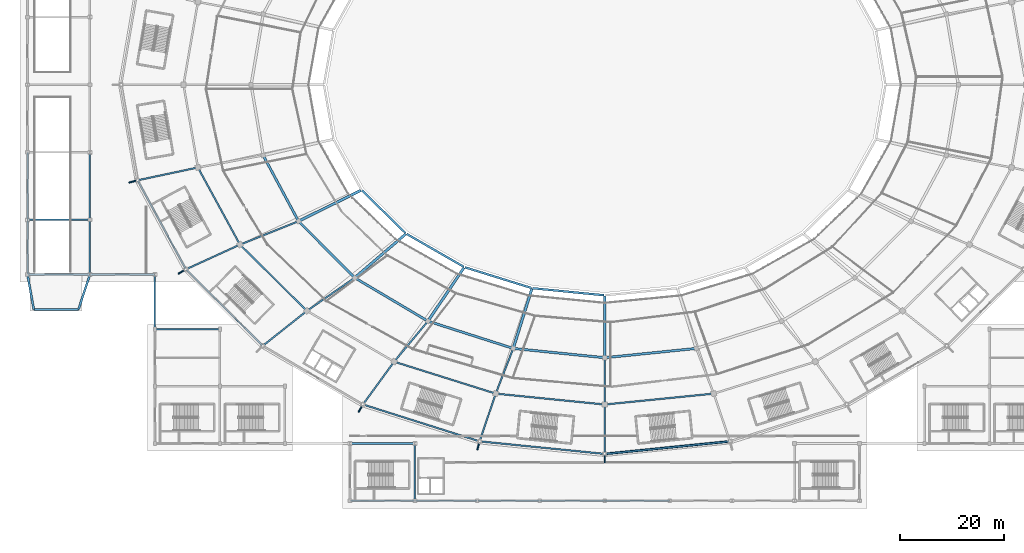
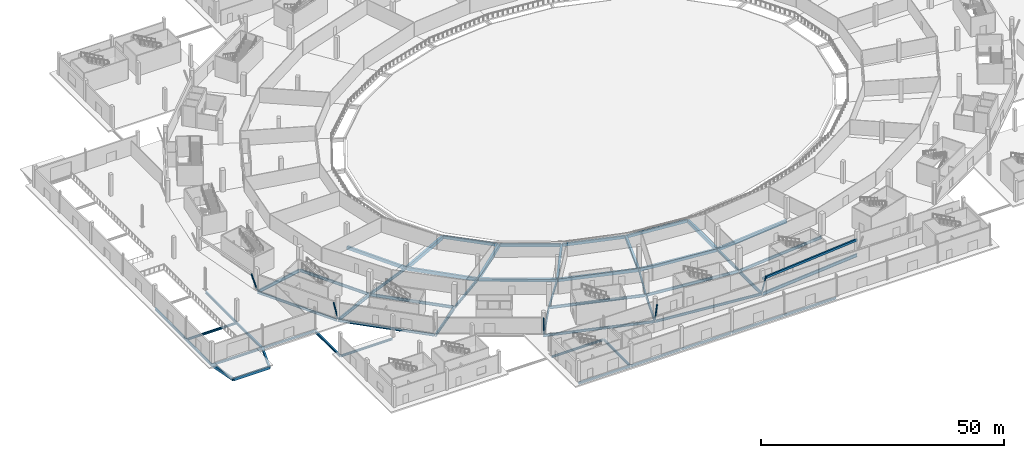
# One storey, part 23 of 82: 56 beams, 5 members.
"""IFC4 building model written with IfcOpenShell, lengths in metres."""

from ifc_helpers import new_model, si_unit, direction, frame, origin, origin_2d, place, context, subcontext, project, spatial, rectangle, hollow_circle, i_section, extrude, material, material_profile, profile_set, type_object, element, save


model = new_model("IFC4")

# Units and contexts
model_context = context("Model", 3, precision=1e-05, world=origin(), true_north=direction((0.0, 1.0)))
body_context = subcontext(model_context, "Body", "Model", "MODEL_VIEW")
ifc_project = project(units=[si_unit("LENGTHUNIT", "METRE"), si_unit("AREAUNIT", "SQUARE_METRE"), si_unit("VOLUMEUNIT", "CUBIC_METRE"), si_unit("PLANEANGLEUNIT", "RADIAN"), si_unit("MASSUNIT", "GRAM", prefix="KILO")], contexts=[model_context])

# Site, building, storey
site_placement = place(None, origin())
site = spatial("IfcSite", under=ifc_project, at=site_placement, CompositionType="ELEMENT")
building_placement = place(site_placement, origin())
building = spatial("IfcBuilding", under=site, at=building_placement, Name="Zlatoyarsky Gate Stadium", CompositionType="ELEMENT")
storey_placement = place(building_placement, origin())
storey = spatial("IfcBuildingStorey", under=building, at=storey_placement, Name="L00", CompositionType="ELEMENT", Elevation=0.0)

# Beams
ifc_material_1 = material(Name="Concrete C40/50", Category="concrete")
ifc_material_profile_1 = material_profile(ifc_material_1, rectangle(XDim=0.39990234375, YDim=0.699951171875, at=origin_2d()), Name="RC BEAM 400X700")
ifc_profile_set_1 = profile_set([ifc_material_profile_1], Name="Concrete C40/50")
beam_type_1 = type_object("IfcBeamType", Name="CONCRETE FLOOR BEAM 400X700", PredefinedType="BEAM", material=ifc_profile_set_1)
beam_1_placement = place(storey_placement, frame((1.199951171875, 36.800048828125, -0.590087890625), z_axis=(-0.176293394465, 0.984337665168, 0.0), x_axis=(-0.984337665168, -0.176293394465, 0.0)))
element("IfcBeam", 1, at=beam_1_placement, inside=storey, type_object=beam_type_1, Name="Apron support beam BM-APR-S1", PredefinedType="BEAM", context=body_context, shape_type="SweptSolid", body=[
    extrude(rectangle(XDim=0.39990234375, YDim=0.699951171875, at=origin_2d()), origin(), (0.0, 0.0, 1.0), 6.806640625),
])
beam_2_placement = place(storey_placement, frame((9.800048828125, 36.800048828125, -0.590087890625), z_axis=(0.311966246218, 0.950093185546, 0.0), x_axis=(-0.950093185546, 0.311966246218, 0.0)))
element("IfcBeam", 2, at=beam_2_placement, inside=storey, type_object=beam_type_1, Name="Apron support beam BM-APR-S2", PredefinedType="BEAM", context=body_context, shape_type="SweptSolid", body=[
    extrude(rectangle(XDim=0.39990234375, YDim=0.699951171875, at=origin_2d()), origin(), (0.0, 0.0, 1.0), 7.052001953125),
])
beam_3_placement = place(storey_placement, frame((1.199951171875, 36.800048828125, -0.590087890625), z_axis=(1.0, 0.0, 0.0), x_axis=(0.0, 1.0, 0.0)))
element("IfcBeam", 3, at=beam_3_placement, inside=storey, type_object=beam_type_1, Name="Apron support beam BM-APR-S12", PredefinedType="BEAM", context=body_context, shape_type="SweptSolid", body=[
    extrude(rectangle(XDim=0.39990234375, YDim=0.699951171875, at=origin_2d()), origin(), (0.0, 0.0, 1.0), 8.60009765625),
])
beam_4_placement = place(storey_placement, frame((64.3203125, 59.666015625, -0.699951171875), z_axis=(0.715146635204, -0.698974456011, 0.0), x_axis=(0.698974456011, 0.715146635204, 0.0)))
element("IfcBeam", 4, at=beam_4_placement, inside=storey, type_object=beam_type_1, Name="Beam B-RC70 BM-L00-CR0-14", PredefinedType="BEAM", context=body_context, shape_type="SweptSolid", body=[
    extrude(rectangle(XDim=0.39990234375, YDim=0.699951171875, at=origin_2d()), origin(), (0.0, 0.0, 1.0), 11.760009765625),
])
beam_5_placement = place(storey_placement, frame((72.920166015625, 51.30224609375, -0.699951171875), z_axis=(0.866725255288, -0.498785857704, 0.0), x_axis=(0.498785857704, 0.866725255288, 0.0)))
element("IfcBeam", 5, at=beam_5_placement, inside=storey, type_object=beam_type_1, Name="Beam B-RC70 BM-L00-CR0-15", PredefinedType="BEAM", context=body_context, shape_type="SweptSolid", body=[
    extrude(rectangle(XDim=0.39990234375, YDim=0.699951171875, at=origin_2d()), origin(), (0.0, 0.0, 1.0), 12.66357421875),
])
beam_6_placement = place(storey_placement, frame((84.114501953125, 44.890380859375, -0.699951171875), z_axis=(0.954977648824, -0.29667775489, 0.0), x_axis=(0.29667775489, 0.954977648824, 0.0)))
element("IfcBeam", 6, at=beam_6_placement, inside=storey, type_object=beam_type_1, Name="Beam B-RC70 BM-L00-CR0-16", PredefinedType="BEAM", context=body_context, shape_type="SweptSolid", body=[
    extrude(rectangle(XDim=0.39990234375, YDim=0.699951171875, at=origin_2d()), origin(), (0.0, 0.0, 1.0), 13.39794921875),
])
beam_7_placement = place(storey_placement, frame((97.143310546875, 40.8681640625, -0.699951171875), z_axis=(0.995160395529, -0.098263865031, 0.0), x_axis=(0.098263865031, 0.995160395529, 0.0)))
element("IfcBeam", 7, at=beam_7_placement, inside=storey, type_object=beam_type_1, Name="Beam B-RC70 BM-L00-CR0-17", PredefinedType="BEAM", context=body_context, shape_type="SweptSolid", body=[
    extrude(rectangle(XDim=0.39990234375, YDim=0.699951171875, at=origin_2d()), origin(), (0.0, 0.0, 1.0), 13.80419921875),
])
ifc_material_profile_2 = material_profile(ifc_material_1, rectangle(XDim=0.449951171875, YDim=0.800048828125, at=origin_2d()), Name="RC BEAM 450X800")
ifc_profile_set_2 = profile_set([ifc_material_profile_2], Name="Concrete C40/50")
beam_type_2 = type_object("IfcBeamType", Name="CONCRETE FLOOR BEAM 450X800", PredefinedType="BEAM", material=ifc_profile_set_2)
beam_8_placement = place(storey_placement, frame((45.373779296875, 66.306396484375, -0.75), z_axis=(0.472766984781, -0.881187481812, 0.0), x_axis=(0.881187481812, 0.472766984781, 0.0)))
element("IfcBeam", 8, at=beam_8_placement, inside=storey, type_object=beam_type_2, Name="Beam B-RC80 BM-L00-CRA-13", PredefinedType="BEAM", context=body_context, shape_type="SweptSolid", body=[
    extrude(rectangle(XDim=0.449951171875, YDim=0.800048828125, at=origin_2d()), origin(), (0.0, 0.0, 1.0), 14.12939453125),
])
beam_9_placement = place(storey_placement, frame((52.19482421875, 53.664794921875, -0.75), z_axis=(0.704927331607, -0.709279533861, 0.0), x_axis=(0.709279533861, 0.704927331607, 0.0)))
element("IfcBeam", 9, at=beam_9_placement, inside=storey, type_object=beam_type_2, Name="Beam B-RC80 BM-L00-CRA-14", PredefinedType="BEAM", context=body_context, shape_type="SweptSolid", body=[
    extrude(rectangle(XDim=0.449951171875, YDim=0.800048828125, at=origin_2d()), origin(), (0.0, 0.0, 1.0), 15.08984375),
])
beam_10_placement = place(storey_placement, frame((63.02001953125, 42.815673828125, -0.75), z_axis=(0.860360371321, -0.50968620882, 0.0), x_axis=(0.50968620882, 0.860360371321, 0.0)))
element("IfcBeam", 10, at=beam_10_placement, inside=storey, type_object=beam_type_2, Name="Beam B-RC80 BM-L00-CRA-15", PredefinedType="BEAM", context=body_context, shape_type="SweptSolid", body=[
    extrude(rectangle(XDim=0.449951171875, YDim=0.800048828125, at=origin_2d()), origin(), (0.0, 0.0, 1.0), 16.12890625),
])
beam_11_placement = place(storey_placement, frame((77.1142578125, 34.4970703125, -0.75), z_axis=(0.952480396568, -0.304599891914, 0.0), x_axis=(0.304599891914, 0.952480396568, 0.0)))
element("IfcBeam", 11, at=beam_11_placement, inside=storey, type_object=beam_type_2, Name="Beam B-RC80 BM-L00-CRA-16", PredefinedType="BEAM", context=body_context, shape_type="SweptSolid", body=[
    extrude(rectangle(XDim=0.449951171875, YDim=0.800048828125, at=origin_2d()), origin(), (0.0, 0.0, 1.0), 16.978515625),
])
for number, where, z_axis, x_axis, name in (
    (12, (93.519775390625, 29.27685546875, -0.75), (0.994873800639, -0.101124283941, 0.0), (0.101124283941, 0.994873800639, 0.0), "Beam B-RC80 BM-L00-CRA-17"),
    (13, (111.119384765625, 27.51220703125, -0.75), (0.994873800639, 0.101124283941, 0.0), (-0.101124283941, 0.994873800639, 0.0), "Beam B-RC80 BM-L00-CRA-18"),
):
    element("IfcBeam", number, at=place(storey_placement, frame(where, z_axis=z_axis, x_axis=x_axis)), inside=storey, type_object=beam_type_2, Name=name, PredefinedType="BEAM", context=body_context, shape_type="SweptSolid", body=[
        extrude(rectangle(XDim=0.449951171875, YDim=0.800048828125, at=origin_2d()), origin(), (0.0, 0.0, 1.0), 17.4501953125),
    ])
ifc_material_profile_3 = material_profile(ifc_material_1, rectangle(XDim=0.35009765625, YDim=0.550048828125, at=origin_2d()), Name="RC LINTEL 350X550")
ifc_profile_set_3 = profile_set([ifc_material_profile_3], Name="Concrete C40/50")
beam_type_3 = type_object("IfcBeamType", Name="CONCRETE OPENING LINTEL 350X550", PredefinedType="LINTEL", material=ifc_profile_set_3)
beam_12_placement = place(storey_placement, frame((111.119384765625, 9.011962890625, 3.125), z_axis=(0.994986905268, 0.100005291586, 0.0), x_axis=(-0.100005291586, 0.994986905268, 0.0)))
element("IfcBeam", 14, at=beam_12_placement, inside=storey, type_object=beam_type_3, Name="Beam LN-RC55 BM-L00-LNT-18", PredefinedType="LINTEL", context=body_context, shape_type="SweptSolid", body=[
    extrude(rectangle(XDim=0.35009765625, YDim=0.550048828125, at=origin_2d()), origin(), (0.0, 0.0, 1.0), 23.951416015625),
])
ifc_material_profile_4 = material_profile(ifc_material_1, rectangle(XDim=0.5, YDim=0.89990234375, at=origin_2d()), Name="RC GIRDER 500X900")
ifc_profile_set_4 = profile_set([ifc_material_profile_4], Name="Concrete C40/50")
beam_type_4 = type_object("IfcBeamType", Name="CONCRETE PRIMARY GIRDER 500X900", PredefinedType="T_BEAM", material=ifc_profile_set_4)
beam_13_placement = place(storey_placement, frame((64.126953125, 59.69677734375, -0.800048828125), z_axis=(-0.896253372987, -0.443542434734, 0.0), x_axis=(0.443542434734, -0.896253372987, 0.0)))
element("IfcBeam", 15, at=beam_13_placement, inside=storey, type_object=beam_type_4, Name="Beam G-RC90 BM-L00-R0A-14", PredefinedType="T_BEAM", context=body_context, shape_type="SweptSolid", body=[
    extrude(rectangle(XDim=0.5, YDim=0.89990234375, at=origin_2d()), origin(), (0.0, 0.0, 1.0), 13.287353515625),
])
beam_14_placement = place(storey_placement, frame((72.72509765625, 51.2841796875, -0.800048828125), z_axis=(-0.759256602365, -0.650791373456, 0.0), x_axis=(0.650791373456, -0.759256602365, 0.0)))
element("IfcBeam", 16, at=beam_14_placement, inside=storey, type_object=beam_type_4, Name="Beam G-RC90 BM-L00-R0A-15", PredefinedType="T_BEAM", context=body_context, shape_type="SweptSolid", body=[
    extrude(rectangle(XDim=0.5, YDim=0.89990234375, at=origin_2d()), origin(), (0.0, 0.0, 1.0), 12.79833984375),
])
beam_15_placement = place(storey_placement, frame((83.93310546875, 44.826416015625, -0.800048828125), z_axis=(-0.558682096313, -0.829381887468, 0.0), x_axis=(0.829381887468, -0.558682096313, 0.0)))
element("IfcBeam", 17, at=beam_15_placement, inside=storey, type_object=beam_type_4, Name="Beam G-RC90 BM-L00-R0A-16", PredefinedType="T_BEAM", context=body_context, shape_type="SweptSolid", body=[
    extrude(rectangle(XDim=0.5, YDim=0.89990234375, at=origin_2d()), origin(), (0.0, 0.0, 1.0), 12.2900390625),
])
beam_16_placement = place(storey_placement, frame((96.988037109375, 40.765380859375, -0.800048828125), z_axis=(-0.298378920826, -0.954447494421, 0.0), x_axis=(0.954447494421, -0.298378920826, 0.0)))
element("IfcBeam", 18, at=beam_16_placement, inside=storey, type_object=beam_type_4, Name="Beam G-RC90 BM-L00-R0A-17", PredefinedType="T_BEAM", context=body_context, shape_type="SweptSolid", body=[
    extrude(rectangle(XDim=0.5, YDim=0.89990234375, at=origin_2d()), origin(), (0.0, 0.0, 1.0), 11.904296875),
])
beam_17_placement = place(storey_placement, frame((111.0, 39.3798828125, -0.800048828125), z_axis=(0.0, -1.0, 0.0), x_axis=(1.0, 0.0, 0.0)))
element("IfcBeam", 19, at=beam_17_placement, inside=storey, type_object=beam_type_4, Name="Beam G-RC90 BM-L00-R0A-18", PredefinedType="T_BEAM", context=body_context, shape_type="SweptSolid", body=[
    extrude(rectangle(XDim=0.5, YDim=0.89990234375, at=origin_2d()), origin(), (0.0, 0.0, 1.0), 11.759765625),
])

# Members
ifc_material_2 = material(Name="Steel S355", Category="steel")
ifc_material_profile_5 = material_profile(ifc_material_2, hollow_circle(Radius=0.177734375, WallThickness=0.02001953125, at=origin_2d()), Name="CHS 355.6X20")
ifc_profile_set_5 = profile_set([ifc_material_profile_5], Name="Steel S355")
member_type = type_object("IfcMemberType", Name="STEEL LEANING RIB RING STRUT CHS 355.6X20", PredefinedType="STRUT", material=ifc_profile_set_5)
member_1_placement = place(storey_placement, frame((21.1689453125, 61.623779296875, 0.0), z_axis=(-0.31638694049, -0.084764257312, 0.944835607167), x_axis=(0.258786663494, -0.965934502333, 0.0)))
element("IfcMember", 20, at=member_1_placement, inside=storey, type_object=member_type, Name="Leaning ring strut 13 L00 to L01", PredefinedType="STRUT", context=body_context, shape_type="SweptSolid", body=[
    extrude(hollow_circle(Radius=0.177734375, WallThickness=0.02001953125, at=origin_2d()), origin(), (0.0, 0.0, 1.0), 4.910888671875),
])
for number, where, z_axis, x_axis, name in (
    (21, (30.459716796875, 44.5, 0.0), (-0.275179339945, -0.158857473848, 0.948177532886), (0.499958946799, -0.866049104564, 0.0), "Leaning ring strut 14 L00 to L01"),
    (22, (64.5, 18.51220703125, 0.0), (-0.158857473848, -0.275179339945, 0.948177532886), (0.866049104564, -0.499958946799, 0.0), "Leaning ring strut 16 L00 to L01"),
):
    element("IfcMember", number, at=place(storey_placement, frame(where, z_axis=z_axis, x_axis=x_axis)), inside=storey, type_object=member_type, Name=name, PredefinedType="STRUT", context=body_context, shape_type="SweptSolid", body=[
        extrude(hollow_circle(Radius=0.177734375, WallThickness=0.02001953125, at=origin_2d()), origin(), (0.0, 0.0, 1.0), 5.0625),
    ])
member_2_placement = place(storey_placement, frame((86.9296875, 11.419189453125, 0.0), z_axis=(-0.084764257312, -0.31638694049, 0.944835607167), x_axis=(0.965934502333, -0.258786663494, 0.0)))
element("IfcMember", 23, at=member_2_placement, inside=storey, type_object=member_type, Name="Leaning ring strut 17 L00 to L01", PredefinedType="STRUT", context=body_context, shape_type="SweptSolid", body=[
    extrude(hollow_circle(Radius=0.177734375, WallThickness=0.02001953125, at=origin_2d()), origin(), (0.0, 0.0, 1.0), 4.910888671875),
])
member_3_placement = place(storey_placement, frame((111.0, 9.0, 0.0), z_axis=(0.0, -0.327525462718, 0.944842352603), x_axis=(1.0, 0.0, 0.0)))
element("IfcMember", 24, at=member_3_placement, inside=storey, type_object=member_type, Name="Leaning ring strut 18 L00 to L01", PredefinedType="STRUT", context=body_context, shape_type="SweptSolid", body=[
    extrude(hollow_circle(Radius=0.177734375, WallThickness=0.02001953125, at=origin_2d()), origin(), (0.0, 0.0, 1.0), 4.91064453125),
])

# Beams
ifc_material_profile_6 = material_profile(ifc_material_2, i_section(OverallWidth=0.300048828125, OverallDepth=0.5, WebThickness=0.014404296875, FlangeThickness=0.028076171875, FilletRadius=0.027099609375, at=origin_2d()), Name="HEB 500")
ifc_profile_set_6 = profile_set([ifc_material_profile_6], Name="Steel S355")
beam_type_5 = type_object("IfcBeamType", Name="STEEL PRIMARY GIRDER HEB 500", PredefinedType="BEAM", material=ifc_profile_set_6)
for number, where, z_axis, x_axis, name in (
    (25, (0.080078125, 43.5, -0.60009765625), (1.0, 0.0, 0.0), (0.0, 1.0, 0.0), "Beam G-HEB500 BM-L00-WGX-1-E"),
    (26, (0.080078125, 54.0, -0.60009765625), (1.0, 0.0, 0.0), (0.0, 1.0, 0.0), "Beam G-HEB500 BM-L00-WGX-1-F"),
):
    element("IfcBeam", number, at=place(storey_placement, frame(where, z_axis=z_axis, x_axis=x_axis)), inside=storey, type_object=beam_type_5, Name=name, PredefinedType="BEAM", context=body_context, shape_type="SweptSolid", body=[
        extrude(i_section(OverallWidth=0.300048828125, OverallDepth=0.5, WebThickness=0.014404296875, FlangeThickness=0.028076171875, FilletRadius=0.027099609375, at=origin_2d()), origin(), (0.0, 0.0, 1.0), 11.83984375),
    ])
for number, where, z_axis, x_axis, name in (
    (27, (111.080078125, 0.0, -0.60009765625), (1.0, 0.0, 0.0), (0.0, 1.0, 0.0), "Beam G-HEB500 BM-L00-WGX-10-A"),
    (28, (12.080078125, 43.5, -0.60009765625), (1.0, 0.0, 0.0), (0.0, 1.0, 0.0), "Beam G-HEB500 BM-L00-WGX-2-E"),
    (29, (24.580078125, 33.0, -0.60009765625), (1.0, 0.0, 0.0), (0.0, 1.0, 0.0), "Beam G-HEB500 BM-L00-WGX-3-D"),
    (30, (62.080078125, 0.0, -0.60009765625), (1.0, 0.0, 0.0), (0.0, 1.0, 0.0), "Beam G-HEB500 BM-L00-WGX-6-A"),
    (31, (62.080078125, 11.0, -0.60009765625), (1.0, 0.0, 0.0), (0.0, 1.0, 0.0), "Beam G-HEB500 BM-L00-WGX-6-B"),
):
    element("IfcBeam", number, at=place(storey_placement, frame(where, z_axis=z_axis, x_axis=x_axis)), inside=storey, type_object=beam_type_5, Name=name, PredefinedType="BEAM", context=body_context, shape_type="SweptSolid", body=[
        extrude(i_section(OverallWidth=0.300048828125, OverallDepth=0.5, WebThickness=0.014404296875, FlangeThickness=0.028076171875, FilletRadius=0.027099609375, at=origin_2d()), origin(), (0.0, 0.0, 1.0), 12.33984375),
    ])
for number, where, z_axis, x_axis, name in (
    (32, (74.580078125, 0.0, -0.60009765625), (1.0, 0.0, 0.0), (0.0, 1.0, 0.0), "Beam G-HEB500 BM-L00-WGX-7-A"),
    (33, (86.580078125, 0.0, -0.60009765625), (1.0, 0.0, 0.0), (0.0, 1.0, 0.0), "Beam G-HEB500 BM-L00-WGX-8-A"),
):
    element("IfcBeam", number, at=place(storey_placement, frame(where, z_axis=z_axis, x_axis=x_axis)), inside=storey, type_object=beam_type_5, Name=name, PredefinedType="BEAM", context=body_context, shape_type="SweptSolid", body=[
        extrude(i_section(OverallWidth=0.300048828125, OverallDepth=0.5, WebThickness=0.014404296875, FlangeThickness=0.028076171875, FilletRadius=0.027099609375, at=origin_2d()), origin(), (0.0, 0.0, 1.0), 11.83984375),
    ])
beam_18_placement = place(storey_placement, frame((98.580078125, 0.0, -0.60009765625), z_axis=(1.0, 0.0, 0.0), x_axis=(0.0, 1.0, 0.0)))
element("IfcBeam", 34, at=beam_18_placement, inside=storey, type_object=beam_type_5, Name="Beam G-HEB500 BM-L00-WGX-9-A", PredefinedType="BEAM", context=body_context, shape_type="SweptSolid", body=[
    extrude(i_section(OverallWidth=0.300048828125, OverallDepth=0.5, WebThickness=0.014404296875, FlangeThickness=0.028076171875, FilletRadius=0.027099609375, at=origin_2d()), origin(), (0.0, 0.0, 1.0), 12.33984375),
])
ifc_material_profile_7 = material_profile(ifc_material_2, i_section(OverallWidth=0.300048828125, OverallDepth=0.60009765625, WebThickness=0.015380859375, FlangeThickness=0.030029296875, FilletRadius=0.027099609375, at=origin_2d()), Name="HEB 600")
ifc_profile_set_7 = profile_set([ifc_material_profile_7], Name="Steel S355")
beam_type_6 = type_object("IfcBeamType", Name="STEEL PRIMARY GIRDER HEB 600", PredefinedType="BEAM", material=ifc_profile_set_7)
beam_19_placement = place(storey_placement, frame((21.22607421875, 61.518310546875, -0.64990234375), z_axis=(0.476891650323, -0.878962088973, 0.0), x_axis=(0.878962088973, 0.476891650323, 0.0)))
element("IfcBeam", 35, at=beam_19_placement, inside=storey, type_object=beam_type_6, Name="Beam G-HEB600 BM-L00-CRC-13", PredefinedType="BEAM", context=body_context, shape_type="SweptSolid", body=[
    extrude(i_section(OverallWidth=0.300048828125, OverallDepth=0.60009765625, WebThickness=0.015380859375, FlangeThickness=0.030029296875, FilletRadius=0.027099609375, at=origin_2d()), origin(), (0.0, 0.0, 1.0), 19.241943359375),
])
beam_20_placement = place(storey_placement, frame((30.544677734375, 44.415283203125, -0.64990234375), z_axis=(0.708899260134, -0.705309746835, 0.0), x_axis=(0.705309746835, 0.708899260134, 0.0)))
element("IfcBeam", 36, at=beam_20_placement, inside=storey, type_object=beam_type_6, Name="Beam G-HEB600 BM-L00-CRC-14", PredefinedType="BEAM", context=body_context, shape_type="SweptSolid", body=[
    extrude(i_section(OverallWidth=0.300048828125, OverallDepth=0.60009765625, WebThickness=0.015380859375, FlangeThickness=0.030029296875, FilletRadius=0.027099609375, at=origin_2d()), origin(), (0.0, 0.0, 1.0), 20.608642578125),
])
beam_21_placement = place(storey_placement, frame((64.614501953125, 18.47607421875, -0.64990234375), z_axis=(0.953463107403, -0.301509706015, 0.0), x_axis=(0.301509706015, 0.953463107403, 0.0)))
element("IfcBeam", 37, at=beam_21_placement, inside=storey, type_object=beam_type_6, Name="Beam G-HEB600 BM-L00-CRC-16", PredefinedType="BEAM", context=body_context, shape_type="SweptSolid", body=[
    extrude(i_section(OverallWidth=0.300048828125, OverallDepth=0.60009765625, WebThickness=0.015380859375, FlangeThickness=0.030029296875, FilletRadius=0.027099609375, at=origin_2d()), origin(), (0.0, 0.0, 1.0), 23.284423828125),
])
beam_22_placement = place(storey_placement, frame((87.04931640625, 11.4072265625, -0.64990234375), z_axis=(0.994986905268, -0.100005291586, 0.0), x_axis=(0.100005291586, 0.994986905268, 0.0)))
element("IfcBeam", 38, at=beam_22_placement, inside=storey, type_object=beam_type_6, Name="Beam G-HEB600 BM-L00-CRC-17", PredefinedType="BEAM", context=body_context, shape_type="SweptSolid", body=[
    extrude(i_section(OverallWidth=0.300048828125, OverallDepth=0.60009765625, WebThickness=0.015380859375, FlangeThickness=0.030029296875, FilletRadius=0.027099609375, at=origin_2d()), origin(), (0.0, 0.0, 1.0), 23.951416015625),
])
beam_23_placement = place(storey_placement, frame((0.0, 43.580078125, -0.64990234375), z_axis=(0.0, 1.0, 0.0), x_axis=(-1.0, 0.0, 0.0)))
element("IfcBeam", 39, at=beam_23_placement, inside=storey, type_object=beam_type_6, Name="Beam G-HEB600 BM-L00-WGY-1-E", PredefinedType="BEAM", context=body_context, shape_type="SweptSolid", body=[
    extrude(i_section(OverallWidth=0.300048828125, OverallDepth=0.60009765625, WebThickness=0.015380859375, FlangeThickness=0.030029296875, FilletRadius=0.027099609375, at=origin_2d()), origin(), (0.0, 0.0, 1.0), 10.33984375),
])
beam_24_placement = place(storey_placement, frame((0.0, 54.080078125, -0.64990234375), z_axis=(0.0, 1.0, 0.0), x_axis=(-1.0, 0.0, 0.0)))
element("IfcBeam", 40, at=beam_24_placement, inside=storey, type_object=beam_type_6, Name="Beam G-HEB600 BM-L00-WGY-1-F", PredefinedType="BEAM", context=body_context, shape_type="SweptSolid", body=[
    extrude(i_section(OverallWidth=0.300048828125, OverallDepth=0.60009765625, WebThickness=0.015380859375, FlangeThickness=0.030029296875, FilletRadius=0.027099609375, at=origin_2d()), origin(), (0.0, 0.0, 1.0), 12.83984375),
])
beam_25_placement = place(storey_placement, frame((12.0, 43.580078125, -0.64990234375), z_axis=(0.0, 1.0, 0.0), x_axis=(-1.0, 0.0, 0.0)))
element("IfcBeam", 41, at=beam_25_placement, inside=storey, type_object=beam_type_6, Name="Beam G-HEB600 BM-L00-WGY-2-E", PredefinedType="BEAM", context=body_context, shape_type="SweptSolid", body=[
    extrude(i_section(OverallWidth=0.300048828125, OverallDepth=0.60009765625, WebThickness=0.015380859375, FlangeThickness=0.030029296875, FilletRadius=0.027099609375, at=origin_2d()), origin(), (0.0, 0.0, 1.0), 10.33984375),
])
beam_26_placement = place(storey_placement, frame((12.0, 54.080078125, -0.64990234375), z_axis=(0.0, 1.0, 0.0), x_axis=(-1.0, 0.0, 0.0)))
element("IfcBeam", 42, at=beam_26_placement, inside=storey, type_object=beam_type_6, Name="Beam G-HEB600 BM-L00-WGY-2-F", PredefinedType="BEAM", context=body_context, shape_type="SweptSolid", body=[
    extrude(i_section(OverallWidth=0.300048828125, OverallDepth=0.60009765625, WebThickness=0.015380859375, FlangeThickness=0.030029296875, FilletRadius=0.027099609375, at=origin_2d()), origin(), (0.0, 0.0, 1.0), 12.83984375),
])
beam_27_placement = place(storey_placement, frame((24.5, 33.080078125, -0.64990234375), z_axis=(0.0, 1.0, 0.0), x_axis=(-1.0, 0.0, 0.0)))
element("IfcBeam", 43, at=beam_27_placement, inside=storey, type_object=beam_type_6, Name="Beam G-HEB600 BM-L00-WGY-3-D", PredefinedType="BEAM", context=body_context, shape_type="SweptSolid", body=[
    extrude(i_section(OverallWidth=0.300048828125, OverallDepth=0.60009765625, WebThickness=0.015380859375, FlangeThickness=0.030029296875, FilletRadius=0.027099609375, at=origin_2d()), origin(), (0.0, 0.0, 1.0), 10.33984375),
])
beam_28_placement = place(storey_placement, frame((74.5, 0.080078125, -0.64990234375), z_axis=(0.0, 1.0, 0.0), x_axis=(-1.0, 0.0, 0.0)))
element("IfcBeam", 44, at=beam_28_placement, inside=storey, type_object=beam_type_6, Name="Beam G-HEB600 BM-L00-WGY-7-A", PredefinedType="BEAM", context=body_context, shape_type="SweptSolid", body=[
    extrude(i_section(OverallWidth=0.300048828125, OverallDepth=0.60009765625, WebThickness=0.015380859375, FlangeThickness=0.030029296875, FilletRadius=0.027099609375, at=origin_2d()), origin(), (0.0, 0.0, 1.0), 10.83984375),
])
ifc_material_profile_8 = material_profile(ifc_material_2, i_section(OverallWidth=0.300048828125, OverallDepth=0.699951171875, WebThickness=0.01708984375, FlangeThickness=0.031982421875, FilletRadius=0.027099609375, at=origin_2d()), Name="HEB 700")
ifc_profile_set_8 = profile_set([ifc_material_profile_8], Name="Steel S355")
beam_type_7 = type_object("IfcBeamType", Name="STEEL PRIMARY GIRDER HEB 700", PredefinedType="BEAM", material=ifc_profile_set_8)
beam_29_placement = place(storey_placement, frame((32.8173828125, 63.977294921875, -0.699951171875), z_axis=(0.478915800408, -0.877860840976, 0.0), x_axis=(0.877860840976, 0.478915800408, 0.0)))
element("IfcBeam", 45, at=beam_29_placement, inside=storey, type_object=beam_type_7, Name="Beam G-HEB700 BM-L00-CRB-13", PredefinedType="BEAM", context=body_context, shape_type="SweptSolid", body=[
    extrude(i_section(OverallWidth=0.300048828125, OverallDepth=0.699951171875, WebThickness=0.01708984375, FlangeThickness=0.031982421875, FilletRadius=0.027099609375, at=origin_2d()), origin(), (0.0, 0.0, 1.0), 16.656494140625),
])
beam_30_placement = place(storey_placement, frame((51.998779296875, 53.70556640625, -0.699951171875), z_axis=(-0.928564503985, -0.371171068295, 0.0), x_axis=(0.371171068295, -0.928564503985, 0.0)))
element("IfcBeam", 46, at=beam_30_placement, inside=storey, type_object=beam_type_7, Name="Beam G-HEB700 BM-L00-RAB-14", PredefinedType="BEAM", context=body_context, shape_type="SweptSolid", body=[
    extrude(i_section(OverallWidth=0.300048828125, OverallDepth=0.699951171875, WebThickness=0.01708984375, FlangeThickness=0.031982421875, FilletRadius=0.027099609375, at=origin_2d()), origin(), (0.0, 0.0, 1.0), 11.88427734375),
])
beam_31_placement = place(storey_placement, frame((40.937255859375, 49.16552734375, -0.699951171875), z_axis=(0.710840510009, -0.703353232259, 0.0), x_axis=(0.703353232259, 0.710840510009, 0.0)))
element("IfcBeam", 47, at=beam_31_placement, inside=storey, type_object=beam_type_7, Name="Beam G-HEB700 BM-L00-CRB-14", PredefinedType="BEAM", context=body_context, shape_type="SweptSolid", body=[
    extrude(i_section(OverallWidth=0.300048828125, OverallDepth=0.699951171875, WebThickness=0.01708984375, FlangeThickness=0.031982421875, FilletRadius=0.027099609375, at=origin_2d()), origin(), (0.0, 0.0, 1.0), 17.868896484375),
])
beam_32_placement = place(storey_placement, frame((62.818115234375, 42.80859375, -0.699951171875), z_axis=(-0.822196208432, -0.569204176758, 0.0), x_axis=(0.569204176758, -0.822196208432, 0.0)))
element("IfcBeam", 48, at=beam_32_placement, inside=storey, type_object=beam_type_7, Name="Beam G-HEB700 BM-L00-RAB-15", PredefinedType="BEAM", context=body_context, shape_type="SweptSolid", body=[
    extrude(i_section(OverallWidth=0.300048828125, OverallDepth=0.699951171875, WebThickness=0.01708984375, FlangeThickness=0.031982421875, FilletRadius=0.027099609375, at=origin_2d()), origin(), (0.0, 0.0, 1.0), 10.9404296875),
])
beam_33_placement = place(storey_placement, frame((76.923095703125, 34.44140625, -0.699951171875), z_axis=(-0.640460635814, -0.767990998627, 0.0), x_axis=(0.767990998627, -0.640460635814, 0.0)))
element("IfcBeam", 49, at=beam_33_placement, inside=storey, type_object=beam_type_7, Name="Beam G-HEB700 BM-L00-RAB-16", PredefinedType="BEAM", context=body_context, shape_type="SweptSolid", body=[
    extrude(i_section(OverallWidth=0.300048828125, OverallDepth=0.699951171875, WebThickness=0.01708984375, FlangeThickness=0.031982421875, FilletRadius=0.027099609375, at=origin_2d()), origin(), (0.0, 0.0, 1.0), 9.90869140625),
])
beam_34_placement = place(storey_placement, frame((70.614501953125, 26.703369140625, -0.699951171875), z_axis=(0.953937507984, -0.300005384719, 0.0), x_axis=(0.300005384719, 0.953937507984, 0.0)))
element("IfcBeam", 50, at=beam_34_placement, inside=storey, type_object=beam_type_7, Name="Beam G-HEB700 BM-L00-CRB-16", PredefinedType="BEAM", context=body_context, shape_type="SweptSolid", body=[
    extrude(i_section(OverallWidth=0.300048828125, OverallDepth=0.699951171875, WebThickness=0.01708984375, FlangeThickness=0.031982421875, FilletRadius=0.027099609375, at=origin_2d()), origin(), (0.0, 0.0, 1.0), 20.239013671875),
])
beam_35_placement = place(storey_placement, frame((93.35693359375, 29.177001953125, -0.699951171875), z_axis=(-0.36092924223, -0.932593202904, 0.0), x_axis=(0.932593202904, -0.36092924223, 0.0)))
element("IfcBeam", 51, at=beam_35_placement, inside=storey, type_object=beam_type_7, Name="Beam G-HEB700 BM-L00-RAB-17", PredefinedType="BEAM", context=body_context, shape_type="SweptSolid", body=[
    extrude(i_section(OverallWidth=0.300048828125, OverallDepth=0.699951171875, WebThickness=0.01708984375, FlangeThickness=0.031982421875, FilletRadius=0.027099609375, at=origin_2d()), origin(), (0.0, 0.0, 1.0), 9.08154296875),
])
beam_36_placement = place(storey_placement, frame((90.155029296875, 20.583740234375, -0.699951171875), z_axis=(0.995040903182, -0.099466582298, 0.0), x_axis=(0.099466582298, 0.995040903182, 0.0)))
element("IfcBeam", 52, at=beam_36_placement, inside=storey, type_object=beam_type_7, Name="Beam G-HEB700 BM-L00-CRB-17", PredefinedType="BEAM", context=body_context, shape_type="SweptSolid", body=[
    extrude(i_section(OverallWidth=0.300048828125, OverallDepth=0.699951171875, WebThickness=0.01708984375, FlangeThickness=0.031982421875, FilletRadius=0.027099609375, at=origin_2d()), origin(), (0.0, 0.0, 1.0), 20.828857421875),
])
beam_37_placement = place(storey_placement, frame((111.0, 27.3798828125, -0.699951171875), z_axis=(0.0, -1.0, 0.0), x_axis=(1.0, 0.0, 0.0)))
element("IfcBeam", 53, at=beam_37_placement, inside=storey, type_object=beam_type_7, Name="Beam G-HEB700 BM-L00-RAB-18", PredefinedType="BEAM", context=body_context, shape_type="SweptSolid", body=[
    extrude(i_section(OverallWidth=0.300048828125, OverallDepth=0.699951171875, WebThickness=0.01708984375, FlangeThickness=0.031982421875, FilletRadius=0.027099609375, at=origin_2d()), origin(), (0.0, 0.0, 1.0), 8.759765625),
])
beam_38_placement = place(storey_placement, frame((111.119384765625, 18.511962890625, -0.699951171875), z_axis=(0.995040903182, 0.099466582298, 0.0), x_axis=(-0.099466582298, 0.995040903182, 0.0)))
element("IfcBeam", 54, at=beam_38_placement, inside=storey, type_object=beam_type_7, Name="Beam G-HEB700 BM-L00-CRB-18", PredefinedType="BEAM", context=body_context, shape_type="SweptSolid", body=[
    extrude(i_section(OverallWidth=0.300048828125, OverallDepth=0.699951171875, WebThickness=0.01708984375, FlangeThickness=0.031982421875, FilletRadius=0.027099609375, at=origin_2d()), origin(), (0.0, 0.0, 1.0), 20.828857421875),
])
ifc_material_profile_9 = material_profile(ifc_material_2, i_section(OverallWidth=0.300048828125, OverallDepth=0.800048828125, WebThickness=0.017578125, FlangeThickness=0.032958984375, FilletRadius=0.030029296875, at=origin_2d()), Name="HEB 800")
ifc_profile_set_9 = profile_set([ifc_material_profile_9], Name="Steel S355")
beam_type_8 = type_object("IfcBeamType", Name="STEEL PRIMARY GIRDER HEB 800", PredefinedType="BEAM", material=ifc_profile_set_9)
beam_39_placement = place(storey_placement, frame((32.642578125, 64.0576171875, -0.75), z_axis=(-0.978233348926, -0.207507867438, 0.0), x_axis=(0.207507867438, -0.978233348926, 0.0)))
element("IfcBeam", 55, at=beam_39_placement, inside=storey, type_object=beam_type_8, Name="Beam G-HEB800 BM-L00-RBC-13", PredefinedType="BEAM", context=body_context, shape_type="SweptSolid", body=[
    extrude(i_section(OverallWidth=0.300048828125, OverallDepth=0.800048828125, WebThickness=0.017578125, FlangeThickness=0.032958984375, FilletRadius=0.030029296875, at=origin_2d()), origin(), (0.0, 0.0, 1.0), 11.60888671875),
])
beam_40_placement = place(storey_placement, frame((40.742919921875, 49.2001953125, -0.75), z_axis=(-0.909498994842, -0.415706120213, 0.0), x_axis=(0.415706120213, -0.909498994842, 0.0)))
element("IfcBeam", 56, at=beam_40_placement, inside=storey, type_object=beam_type_8, Name="Beam G-HEB800 BM-L00-RBC-14", PredefinedType="BEAM", context=body_context, shape_type="SweptSolid", body=[
    extrude(i_section(OverallWidth=0.300048828125, OverallDepth=0.800048828125, WebThickness=0.017578125, FlangeThickness=0.032958984375, FilletRadius=0.030029296875, at=origin_2d()), origin(), (0.0, 0.0, 1.0), 11.186767578125),
])
beam_41_placement = place(storey_placement, frame((53.63037109375, 36.4384765625, -0.75), z_axis=(-0.78404348542, -0.620705898933, 0.0), x_axis=(0.620705898933, -0.78404348542, 0.0)))
element("IfcBeam", 57, at=beam_41_placement, inside=storey, type_object=beam_type_8, Name="Beam G-HEB800 BM-L00-RBC-15", PredefinedType="BEAM", context=body_context, shape_type="SweptSolid", body=[
    extrude(i_section(OverallWidth=0.300048828125, OverallDepth=0.800048828125, WebThickness=0.017578125, FlangeThickness=0.032958984375, FilletRadius=0.030029296875, at=origin_2d()), origin(), (0.0, 0.0, 1.0), 10.58251953125),
])
beam_42_placement = place(storey_placement, frame((70.42919921875, 26.642333984375, -0.75), z_axis=(-0.589228266457, -0.807966614415, 0.0), x_axis=(0.807966614415, -0.589228266457, 0.0)))
element("IfcBeam", 58, at=beam_42_placement, inside=storey, type_object=beam_type_8, Name="Beam G-HEB800 BM-L00-RBC-16", PredefinedType="BEAM", context=body_context, shape_type="SweptSolid", body=[
    extrude(i_section(OverallWidth=0.300048828125, OverallDepth=0.800048828125, WebThickness=0.017578125, FlangeThickness=0.032958984375, FilletRadius=0.030029296875, at=origin_2d()), origin(), (0.0, 0.0, 1.0), 9.9423828125),
])
beam_43_placement = place(storey_placement, frame((89.997314453125, 20.48193359375, -0.75), z_axis=(-0.320612225581, -0.947210536686, 0.0), x_axis=(0.947210536686, -0.320612225581, 0.0)))
element("IfcBeam", 59, at=beam_43_placement, inside=storey, type_object=beam_type_8, Name="Beam G-HEB800 BM-L00-RBC-17", PredefinedType="BEAM", context=body_context, shape_type="SweptSolid", body=[
    extrude(i_section(OverallWidth=0.300048828125, OverallDepth=0.800048828125, WebThickness=0.017578125, FlangeThickness=0.032958984375, FilletRadius=0.030029296875, at=origin_2d()), origin(), (0.0, 0.0, 1.0), 9.44775390625),
])
beam_44_placement = place(storey_placement, frame((111.0, 18.3798828125, -0.75), z_axis=(0.0, -1.0, 0.0), x_axis=(1.0, 0.0, 0.0)))
element("IfcBeam", 60, at=beam_44_placement, inside=storey, type_object=beam_type_8, Name="Beam G-HEB800 BM-L00-RBC-18", PredefinedType="BEAM", context=body_context, shape_type="SweptSolid", body=[
    extrude(i_section(OverallWidth=0.300048828125, OverallDepth=0.800048828125, WebThickness=0.017578125, FlangeThickness=0.032958984375, FilletRadius=0.030029296875, at=origin_2d()), origin(), (0.0, 0.0, 1.0), 9.259765625),
])
beam_45_placement = place(storey_placement, frame((111.119384765625, 9.011962890625, -0.75), z_axis=(0.994986905268, 0.100005291586, 0.0), x_axis=(-0.100005291586, 0.994986905268, 0.0)))
element("IfcBeam", 61, at=beam_45_placement, inside=storey, type_object=beam_type_8, Name="Beam G-HEB800 BM-L00-CRC-18", PredefinedType="BEAM", context=body_context, shape_type="SweptSolid", body=[
    extrude(i_section(OverallWidth=0.300048828125, OverallDepth=0.800048828125, WebThickness=0.017578125, FlangeThickness=0.032958984375, FilletRadius=0.030029296875, at=origin_2d()), origin(), (0.0, 0.0, 1.0), 23.951416015625),
])

save(model, "model.ifc")
